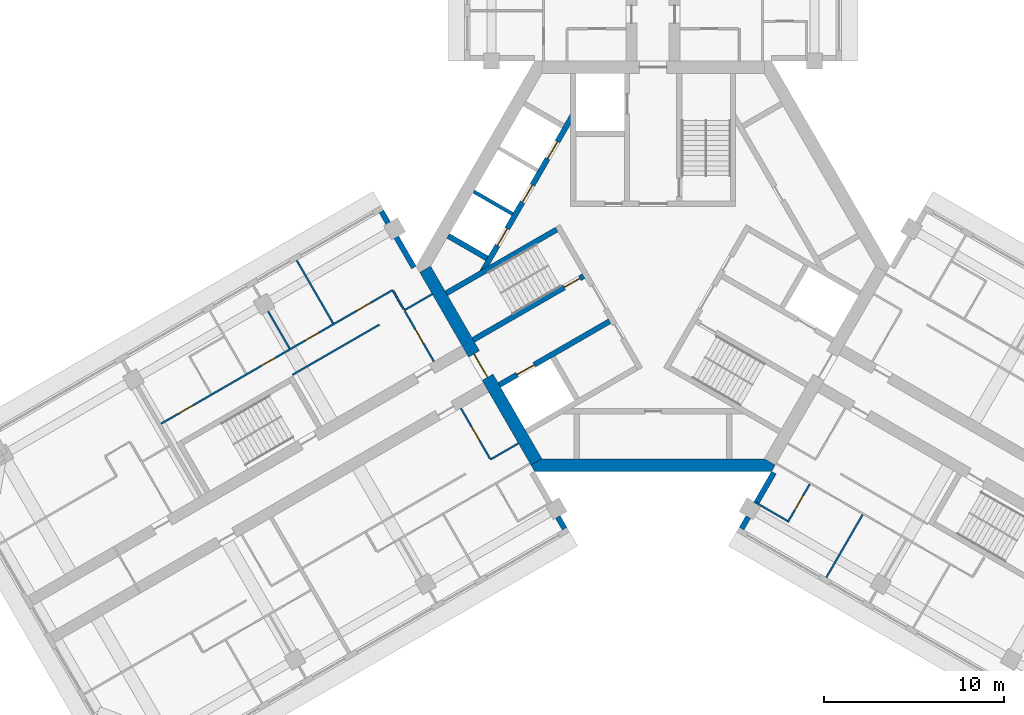
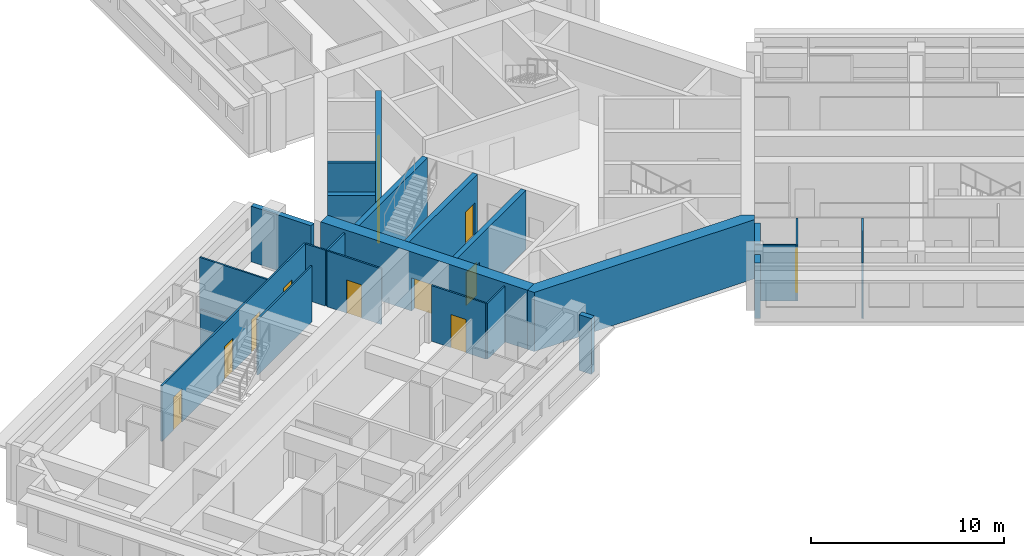
# One storey, part 4 of 11: 24 walls, 13 doors, 13 openings.
"""IFC4 building model written with IfcOpenShell, lengths in metres."""

import ifcopenshell
import ifcopenshell.guid

model = None  # the IFC model being written
_history = None  # IfcOwnerHistory: only IFC2X3 demands one
_inside = {}  # id of a spatial element -> (the spatial element, [elements in it])
_under = {}  # id of a project, library or spatial element -> (it, [spatial elements below it])
_declared = {}  # id of a project -> (the project, [libraries it declares])
_typed = {}  # id of a type object -> (the type object, [elements of that type])
_made_of = {}  # id of a material, layer set ... -> (it, [elements and type objects made of it])


def new_model(schema):
    """Start an empty IFC model of exactly this schema.

    Asked for "IFC4X3", IfcOpenShell would pick the latest addendum, in which some entities
    have other attributes; the version numbers below select the first issue.
    IFC2X3 requires an IfcOwnerHistory on every rooted entity: one is made here for all.
    """
    global model, _history
    if schema == "IFC4X3":
        model = ifcopenshell.file(schema_version=(4, 3, 0, 0))
    else:
        model = ifcopenshell.file(schema=schema)
    _inside.clear()
    _under.clear()
    _declared.clear()
    _typed.clear()
    _made_of.clear()
    _history = None
    if model.schema == "IFC2X3":
        org = make("IfcOrganization", Name="unknown")
        user = make(
            "IfcPersonAndOrganization",
            ThePerson=make("IfcPerson", FamilyName="unknown"),
            TheOrganization=org,
        )
        app = make(
            "IfcApplication",
            ApplicationDeveloper=org,
            Version="unknown",
            ApplicationFullName="unknown",
            ApplicationIdentifier="unknown",
        )
        _history = make(
            "IfcOwnerHistory",
            OwningUser=user,
            OwningApplication=app,
            ChangeAction="ADDED",
            CreationDate=0,
        )
    return model


def make(cls, **values):
    """One entity of the class cls with the attributes given. An attribute that is None is left unset."""
    return model.create_entity(
        cls, **{name: value for name, value in values.items() if value is not None}
    )


def rooted(cls, **values):
    """An entity with a GlobalId (a new one), such as an element, a storey or a relation."""
    return make(cls, GlobalId=ifcopenshell.guid.new(), OwnerHistory=_history, **values)


def si_unit(unit_type, name, prefix=None):
    """IfcSIUnit, for example si_unit("LENGTHUNIT", "METRE", prefix="MILLI")."""
    return make("IfcSIUnit", UnitType=unit_type, Prefix=prefix, Name=name)


def assignment(units):
    """IfcUnitAssignment: the units of a project."""
    return None if units is None else make("IfcUnitAssignment", Units=units)


def point(xyz):
    """IfcCartesianPoint."""
    return None if xyz is None else make("IfcCartesianPoint", Coordinates=xyz)


def direction(xyz):
    """IfcDirection."""
    return None if xyz is None else make("IfcDirection", DirectionRatios=xyz)


def frame(location, z_axis=None, x_axis=None):
    """IfcAxis2Placement3D, a coordinate frame: its origin and axes. An axis left out is left unset."""
    return make(
        "IfcAxis2Placement3D",
        Location=point(location),
        Axis=direction(z_axis),
        RefDirection=direction(x_axis),
    )


def frame_2d(location, x_axis=None):
    """IfcAxis2Placement2D, a coordinate frame in the plane: its origin and x axis."""
    return make(
        "IfcAxis2Placement2D", Location=point(location), RefDirection=direction(x_axis)
    )


def origin():
    """The frame at (0, 0, 0) with its axes left unset."""
    return frame((0.0, 0.0, 0.0))


def place(relative_to, where):
    """IfcLocalPlacement: puts the frame where relative to a parent placement (None: the world)."""
    return make(
        "IfcLocalPlacement", PlacementRelTo=relative_to, RelativePlacement=where
    )


def context(
    kind, dimensions, precision=None, world=None, true_north=None, identifier=None
):
    """IfcGeometricRepresentationContext, for example the 3D "Model" context."""
    return make(
        "IfcGeometricRepresentationContext",
        ContextIdentifier=identifier,
        ContextType=kind,
        CoordinateSpaceDimension=dimensions,
        Precision=precision,
        WorldCoordinateSystem=world,
        TrueNorth=true_north,
    )


def subcontext(parent, identifier, kind, view, scale=None):
    """IfcGeometricRepresentationSubContext, for example "Body" below "Model"."""
    return make(
        "IfcGeometricRepresentationSubContext",
        ContextIdentifier=identifier,
        ContextType=kind,
        ParentContext=parent,
        TargetScale=scale,
        TargetView=view,
    )


def project(units=None, contexts=None):
    """IfcProject with its units and contexts."""
    return rooted(
        "IfcProject",
        Name="project",
        RepresentationContexts=contexts,
        UnitsInContext=assignment(units),
    )


def spatial(cls, under=None, at=None, **own):
    """A site, building, storey or space (cls), placed at a placement, below another one or the project."""
    s = rooted(cls, ObjectPlacement=at, **own)
    if under is not None:
        _under.setdefault(under.id(), (under, []))[1].append(s)
    return s


def polyline(points):
    """IfcPolyline through the points."""
    return make("IfcPolyline", Points=[point(p) for p in points])


def profile(cls, at=None, kind="AREA", **sizes):
    """A parametric profile (cls). Its sizes go by their IFC names, for example OverallWidth=200.0."""
    return make(cls, ProfileType=kind, Position=at, **sizes)


def rectangle(**sizes):
    """IfcRectangleProfileDef."""
    return profile("IfcRectangleProfileDef", **sizes)


def outline(outer, holes=None, kind="AREA"):
    """IfcArbitraryClosedProfileDef: a profile drawn as a closed curve; with holes, ...WithVoids."""
    if holes is None:
        return make("IfcArbitraryClosedProfileDef", ProfileType=kind, OuterCurve=outer)
    return make(
        "IfcArbitraryProfileDefWithVoids",
        ProfileType=kind,
        OuterCurve=outer,
        InnerCurves=holes,
    )


def extrude(swept, where, along, depth):
    """IfcExtrudedAreaSolid: the profile swept, set in the frame where, extruded along a direction by depth."""
    return make(
        "IfcExtrudedAreaSolid",
        SweptArea=swept,
        Position=where,
        ExtrudedDirection=direction(along),
        Depth=depth,
    )


def shape(context_of_items, identifier, shape_type, items):
    """IfcShapeRepresentation: the items that make up one representation, for example the "Body"."""
    return make(
        "IfcShapeRepresentation",
        ContextOfItems=context_of_items,
        RepresentationIdentifier=identifier,
        RepresentationType=shape_type,
        Items=items,
    )


def material(Name=None, Category=None):
    """IfcMaterial."""
    return make("IfcMaterial", Name=Name, Category=Category)


def layer(
    of_material, thickness, ventilated=None, Name=None, Category=None, Priority=None
):
    """IfcMaterialLayer: one layer of a wall or slab, of a material (None: an air gap)."""
    return make(
        "IfcMaterialLayer",
        Material=of_material,
        LayerThickness=thickness,
        IsVentilated=ventilated,
        Name=Name,
        Category=Category,
        Priority=Priority,
    )


def layer_set(layers, Name=None):
    """IfcMaterialLayerSet."""
    return make("IfcMaterialLayerSet", MaterialLayers=layers, LayerSetName=Name)


def made_of(thing, what):
    """Note that an element or type object is made of a material, layer set ...; save() writes the relation."""
    if what is not None:
        _made_of.setdefault(what.id(), (what, []))[1].append(thing)
    return thing


def type_object(cls, material=None, **own):
    """A type object (cls), such as IfcWallType, which elements share."""
    return made_of(rooted(cls, **own), material)


def element(
    cls,
    number,
    at=None,
    inside=None,
    cuts=None,
    type_object=None,
    material=None,
    context=None,
    identifier="Body",
    shape_type=None,
    held_by="IfcProductDefinitionShape",
    body=None,
    shapes=None,
    **own,
):
    """One element of the class cls, such as IfcWall. Its Tag is "e" and its number.

    at: its placement. inside: the storey or other place that contains it. cuts: it is an
    opening in that element (IfcRelVoidsElement). A single representation is given by context,
    identifier, shape_type and body (its items); several are given by shapes. held_by: the class
    of the entity that holds the representations. save() writes the other relations.
    """
    e = rooted(cls, Tag="e%d" % number, ObjectPlacement=at, **own)
    if body is not None:
        shapes = [shape(context, identifier, shape_type, body)]
    if shapes is not None:
        e.Representation = make(held_by, Representations=shapes)
    if inside is not None:
        _inside.setdefault(inside.id(), (inside, []))[1].append(e)
    if cuts is not None:
        rooted(
            "IfcRelVoidsElement", RelatingBuildingElement=cuts, RelatedOpeningElement=e
        )
    if type_object is not None:
        _typed.setdefault(type_object.id(), (type_object, []))[1].append(e)
    return made_of(e, material)


def fill(opening, filler):
    """IfcRelFillsElement: the door or window that sits in an opening."""
    return rooted(
        "IfcRelFillsElement",
        RelatingOpeningElement=opening,
        RelatedBuildingElement=filler,
    )


def aggregate(whole, parts):
    """IfcRelAggregates: a whole, such as a stair, and the parts it consists of."""
    return rooted("IfcRelAggregates", RelatingObject=whole, RelatedObjects=parts)


def save(model, path):
    """Write the relations noted so far, then the file.

    IfcRelAggregates (storeys below a building ...), IfcRelContainedInSpatialStructure (elements
    in a storey), IfcRelDefinesByType, IfcRelAssociatesMaterial and IfcRelDeclares: one each for
    every whole, place, type object, material and project.
    """
    for whole, parts in _under.values():
        aggregate(whole, parts)
    for where, things in _inside.values():
        rooted(
            "IfcRelContainedInSpatialStructure",
            RelatedElements=things,
            RelatingStructure=where,
        )
    for kind, things in _typed.values():
        rooted("IfcRelDefinesByType", RelatedObjects=things, RelatingType=kind)
    for what, things in _made_of.values():
        rooted("IfcRelAssociatesMaterial", RelatedObjects=things, RelatingMaterial=what)
    for by, libraries in _declared.values():
        rooted("IfcRelDeclares", RelatingContext=by, RelatedDefinitions=libraries)
    model.write(path)


model = new_model("IFC4")

# Units and contexts
model_context = context("Model", 3, precision=1e-05, world=origin(), true_north=direction((0.0, 1.0)))
body_context = subcontext(model_context, "Body", "Model", "MODEL_VIEW")
ifc_project = project(units=[si_unit("LENGTHUNIT", "METRE"), si_unit("AREAUNIT", "SQUARE_METRE"), si_unit("VOLUMEUNIT", "CUBIC_METRE"), si_unit("PLANEANGLEUNIT", "RADIAN"), si_unit("MASSUNIT", "GRAM", prefix="KILO")], contexts=[model_context])

# Site, building, storey
site_placement = place(None, origin())
site = spatial("IfcSite", under=ifc_project, at=site_placement, CompositionType="ELEMENT")
building_placement = place(site_placement, origin())
building = spatial("IfcBuilding", under=site, at=building_placement, Name="Impinga Residences", CompositionType="ELEMENT")
storey_placement = place(building_placement, frame((0.0, 0.0, 199.75)))
storey = spatial("IfcBuildingStorey", under=building, at=storey_placement, Name="L49", CompositionType="ELEMENT", Elevation=199.75)

# Walls
ifc_material_1 = material(Name="Terracotta rainscreen on blockwork", Category="masonry")
ifc_layer_1 = layer(ifc_material_1, 0.300048828125)
ifc_layer_set_1 = layer_set([ifc_layer_1], Name="EW1 external wall, terracotta rainscreen on blockwork 300")
wall_type_1 = type_object("IfcWallType", Name="EW1 external wall, terracotta rainscreen on blockwork 300", PredefinedType="SOLIDWALL", material=ifc_layer_set_1)
wall_1_placement = place(storey_placement, frame((-15.1298828125, 3.042724609375, 0.0), z_axis=(0.0, 0.0, 1.0), x_axis=(0.500012057535, -0.866018442252, 0.0)))
element("IfcWall", 1, at=wall_1_placement, inside=storey, type_object=wall_type_1, Name="External wall EW1 L49", PredefinedType="SOLIDWALL", context=body_context, shape_type="SweptSolid", body=[
    extrude(rectangle(XDim=3.60009765625, YDim=0.300048828125, at=frame_2d((1.800048828125, 0.0))), origin(), (0.0, 0.0, 1.0), 3.530029296875),
])
wall_2_placement = place(storey_placement, frame((4.929931640625, -14.624267578125, 0.0), z_axis=(0.0, 0.0, 1.0), x_axis=(0.499919672301, 0.866071776036, 0.0)))
element("IfcWall", 2, at=wall_2_placement, inside=storey, type_object=wall_type_1, Name="External wall EW1 L49", PredefinedType="SOLIDWALL", context=body_context, shape_type="SweptSolid", body=[
    extrude(rectangle(XDim=0.75, YDim=0.300048828125, at=frame_2d((0.375, 0.0))), origin(), (0.0, 0.0, 1.0), 3.530029296875),
])
wall_3_placement = place(storey_placement, frame((5.7548828125, -13.1953125, 0.0), z_axis=(0.0, 0.0, 1.0), x_axis=(0.500043961785, 0.866000020948, 0.0)))
element("IfcWall", 3, at=wall_3_placement, inside=storey, type_object=wall_type_1, Name="External wall EW1 L49", PredefinedType="SOLIDWALL", context=body_context, shape_type="SweptSolid", body=[
    extrude(rectangle(XDim=1.949951171875, YDim=0.300048828125, at=frame_2d((0.97509765625, 0.0))), origin(), (0.0, 0.0, 1.0), 3.530029296875),
])
wall_4_placement = place(storey_placement, frame((-5.304931640625, -13.974609375, 0.0), z_axis=(0.0, 0.0, 1.0), x_axis=(0.499919672301, -0.866071776036, 0.0)))
element("IfcWall", 4, at=wall_4_placement, inside=storey, type_object=wall_type_1, Name="External wall EW1 L49", PredefinedType="SOLIDWALL", context=body_context, shape_type="SweptSolid", body=[
    extrude(rectangle(XDim=0.75, YDim=0.300048828125, at=frame_2d((0.375, 0.0))), origin(), (0.0, 0.0, 1.0), 3.530029296875),
])
ifc_material_2 = material(Name="Gypsum board on steel studs", Category="steel")
ifc_layer_2 = layer(ifc_material_2, 0.10009765625)
ifc_layer_set_2 = layer_set([ifc_layer_2], Name="Gypsum board on steel studs")
wall_type_2 = type_object("IfcWallType", Name="IP1 partition 100", PredefinedType="PARTITIONING", material=ifc_layer_set_2)
wall_5_placement = place(storey_placement, frame((-7.5, -9.872802734375, 0.0), z_axis=(0.0, 0.0, 1.0), x_axis=(-0.866047807691, -0.499961193289, 0.0)))
element("IfcWall", 5, at=wall_5_placement, inside=storey, type_object=wall_type_2, Name="Partition L49-WA1:DIV0", PredefinedType="PARTITIONING", context=body_context, shape_type="SweptSolid", body=[
    extrude(rectangle(XDim=1.800048828125, YDim=0.10009765625, at=frame_2d((0.89990234375, 0.0))), origin(), (0.0, 0.0, 1.0), 3.530029296875),
])

# Wall, opening, door
wall_6_placement = place(storey_placement, frame((-10.708740234375, -7.914794921875, 0.0), z_axis=(0.0, 0.0, 1.0), x_axis=(0.499984717929, -0.866034226713, 0.0)))
wall_6 = element("IfcWall", 6, at=wall_6_placement, inside=storey, type_object=wall_type_2, Name="Partition L49-WA1:IB1", PredefinedType="PARTITIONING", context=body_context, shape_type="SweptSolid", body=[
    extrude(rectangle(XDim=3.25, YDim=0.10009765625, at=frame_2d((1.625, 0.0))), origin(), (0.0, 0.0, 1.0), 3.530029296875),
])
opening_1_placement = place(wall_6_placement, frame((1.175048828125, 0.0, 0.0)))
opening_1 = element("IfcOpeningElement", 7, at=opening_1_placement, cuts=wall_6, Name="Opening D2", PredefinedType="OPENING", context=body_context, shape_type="SweptSolid", body=[
    extrude(rectangle(XDim=0.89990234375, YDim=2.10009765625, at=frame_2d((0.449951171875, 1.050048828125))), frame((0.0, 0.06005859375, 0.0), z_axis=(0.0, -1.0, 0.0), x_axis=(1.0, 0.0, 0.0)), (0.0, 0.0, 1.0), 0.1201171875),
])
ifc_material_3 = material(Name="Timber door set", Category="wood")
door_type_1 = type_object("IfcDoorType", Name="D2 internal door 900x2100", OperationType="SINGLE_SWING_LEFT", PredefinedType="DOOR", material=ifc_material_3)
door_1_placement = place(opening_1_placement, origin())
door_1 = element("IfcDoor", 8, at=door_1_placement, inside=storey, type_object=door_type_1, Name="Apartment L49-WA1 bathroom door", OperationType="SINGLE_SWING_LEFT", OverallHeight=2.10009765625, OverallWidth=0.89990234375, PredefinedType="DOOR", context=body_context, shape_type="SweptSolid", body=[
    extrude(rectangle(XDim=0.89990234375, YDim=2.10009765625, at=frame_2d((0.449951171875, 1.050048828125))), frame((0.0, 0.02490234375, 0.0), z_axis=(0.0, -1.0, 0.0), x_axis=(1.0, 0.0, 0.0)), (0.0, 0.0, 1.0), 0.050048828125),
])
fill(opening_1, door_1)

# Walls
wall_7_placement = place(storey_placement, frame((-12.300048828125, -1.558837890625, 0.0), z_axis=(0.0, 0.0, 1.0), x_axis=(-0.866047807691, -0.499961193289, 0.0)))
element("IfcWall", 9, at=wall_7_placement, inside=storey, type_object=wall_type_2, Name="Partition L49-WF1:DIV0", PredefinedType="PARTITIONING", context=body_context, shape_type="SweptSolid", body=[
    extrude(rectangle(XDim=1.800048828125, YDim=0.10009765625, at=frame_2d((0.89990234375, 0.0))), origin(), (0.0, 0.0, 1.0), 3.530029296875),
])
wall_8_placement = place(storey_placement, frame((-15.244384765625, -3.2587890625, 0.0), z_axis=(0.0, 0.0, 1.0), x_axis=(-0.866026594901, -0.49999793692, 0.0)))
element("IfcWall", 10, at=wall_8_placement, inside=storey, type_object=wall_type_2, Name="Partition L49-WF1:DIV1", PredefinedType="PARTITIONING", context=body_context, shape_type="SweptSolid", body=[
    extrude(rectangle(XDim=5.60009765625, YDim=0.10009765625, at=frame_2d((2.800048828125, 0.0))), origin(), (0.0, 0.0, 1.0), 3.530029296875),
])

# Wall, openings, doors
wall_9_placement = place(storey_placement, frame((-14.5087890625, -1.3330078125, 0.0), z_axis=(0.0, 0.0, 1.0), x_axis=(-0.866027327438, -0.499996668119, 0.0)))
wall_9 = element("IfcWall", 11, at=wall_9_placement, inside=storey, type_object=wall_type_2, Name="Partition L49-WF1:STRIP", PredefinedType="PARTITIONING", context=body_context, shape_type="SweptSolid", body=[
    extrude(rectangle(XDim=14.89990234375, YDim=0.10009765625, at=frame_2d((7.449951171875, 0.0))), origin(), (0.0, 0.0, 1.0), 3.530029296875),
])
opening_2_placement = place(wall_9_placement, frame((1.425048828125, 0.0, 0.0)))
opening_2 = element("IfcOpeningElement", 12, at=opening_2_placement, cuts=wall_9, Name="Opening D2", PredefinedType="OPENING", context=body_context, shape_type="SweptSolid", body=[
    extrude(rectangle(XDim=0.89990234375, YDim=2.10009765625, at=frame_2d((0.449951171875, 1.050048828125))), frame((0.0, 0.06005859375, 0.0), z_axis=(0.0, -1.0, 0.0), x_axis=(1.0, 0.0, 0.0)), (0.0, 0.0, 1.0), 0.1201171875),
])
opening_3_placement = place(wall_9_placement, frame((4.75, 0.0, 0.0)))
opening_3 = element("IfcOpeningElement", 13, at=opening_3_placement, cuts=wall_9, Name="Opening D2", PredefinedType="OPENING", context=body_context, shape_type="SweptSolid", body=[
    extrude(rectangle(XDim=0.89990234375, YDim=2.10009765625, at=frame_2d((0.449951171875, 1.050048828125))), frame((0.0, 0.06005859375, 0.0), z_axis=(0.0, -1.0, 0.0), x_axis=(1.0, 0.0, 0.0)), (0.0, 0.0, 1.0), 0.1201171875),
])
opening_4_placement = place(wall_9_placement, frame((7.550048828125, 0.0, 0.0)))
opening_4 = element("IfcOpeningElement", 14, at=opening_4_placement, cuts=wall_9, Name="Opening D2", PredefinedType="OPENING", context=body_context, shape_type="SweptSolid", body=[
    extrude(rectangle(XDim=0.89990234375, YDim=2.10009765625, at=frame_2d((0.449951171875, 1.050048828125))), frame((0.0, 0.06005859375, 0.0), z_axis=(0.0, -1.0, 0.0), x_axis=(1.0, 0.0, 0.0)), (0.0, 0.0, 1.0), 0.1201171875),
])
opening_5_placement = place(wall_9_placement, frame((12.85009765625, 0.0, 0.0)))
opening_5 = element("IfcOpeningElement", 15, at=opening_5_placement, cuts=wall_9, Name="Opening D2", PredefinedType="OPENING", context=body_context, shape_type="SweptSolid", body=[
    extrude(rectangle(XDim=0.89990234375, YDim=2.10009765625, at=frame_2d((0.449951171875, 1.050048828125))), frame((0.0, 0.06005859375, 0.0), z_axis=(0.0, -1.0, 0.0), x_axis=(1.0, 0.0, 0.0)), (0.0, 0.0, 1.0), 0.1201171875),
])
door_2_placement = place(opening_2_placement, origin())
door_2 = element("IfcDoor", 16, at=door_2_placement, inside=storey, type_object=door_type_1, Name="Apartment L49-WF1 room door", OperationType="SINGLE_SWING_LEFT", OverallHeight=2.10009765625, OverallWidth=0.89990234375, PredefinedType="DOOR", context=body_context, shape_type="SweptSolid", body=[
    extrude(rectangle(XDim=0.89990234375, YDim=2.10009765625, at=frame_2d((0.449951171875, 1.050048828125))), frame((0.0, 0.02490234375, 0.0), z_axis=(0.0, -1.0, 0.0), x_axis=(1.0, 0.0, 0.0)), (0.0, 0.0, 1.0), 0.050048828125),
])
fill(opening_2, door_2)
door_3_placement = place(opening_3_placement, origin())
door_3 = element("IfcDoor", 17, at=door_3_placement, inside=storey, type_object=door_type_1, Name="Apartment L49-WF1 room door", OperationType="SINGLE_SWING_LEFT", OverallHeight=2.10009765625, OverallWidth=0.89990234375, PredefinedType="DOOR", context=body_context, shape_type="SweptSolid", body=[
    extrude(rectangle(XDim=0.89990234375, YDim=2.10009765625, at=frame_2d((0.449951171875, 1.050048828125))), frame((0.0, 0.02490234375, 0.0), z_axis=(0.0, -1.0, 0.0), x_axis=(1.0, 0.0, 0.0)), (0.0, 0.0, 1.0), 0.050048828125),
])
fill(opening_3, door_3)
door_4_placement = place(opening_4_placement, origin())
door_4 = element("IfcDoor", 18, at=door_4_placement, inside=storey, type_object=door_type_1, Name="Apartment L49-WF1 room door", OperationType="SINGLE_SWING_RIGHT", OverallHeight=2.10009765625, OverallWidth=0.89990234375, PredefinedType="DOOR", context=body_context, shape_type="SweptSolid", body=[
    extrude(rectangle(XDim=0.89990234375, YDim=2.10009765625, at=frame_2d((0.449951171875, 1.050048828125))), frame((0.0, 0.02490234375, 0.0), z_axis=(0.0, -1.0, 0.0), x_axis=(1.0, 0.0, 0.0)), (0.0, 0.0, 1.0), 0.050048828125),
])
fill(opening_4, door_4)
door_5_placement = place(opening_5_placement, origin())
door_5 = element("IfcDoor", 19, at=door_5_placement, inside=storey, type_object=door_type_1, Name="Apartment L49-WF1 room door", OperationType="SINGLE_SWING_RIGHT", OverallHeight=2.10009765625, OverallWidth=0.89990234375, PredefinedType="DOOR", context=body_context, shape_type="SweptSolid", body=[
    extrude(rectangle(XDim=0.89990234375, YDim=2.10009765625, at=frame_2d((0.449951171875, 1.050048828125))), frame((0.0, 0.02490234375, 0.0), z_axis=(0.0, -1.0, 0.0), x_axis=(1.0, 0.0, 0.0)), (0.0, 0.0, 1.0), 0.050048828125),
])
fill(opening_5, door_5)

# Wall
wall_10_placement = place(storey_placement, frame((-13.8837890625, -2.41552734375, 0.0), z_axis=(0.0, 0.0, 1.0), x_axis=(-0.500033551112, 0.866006032174, 0.0)))
element("IfcWall", 20, at=wall_10_placement, inside=storey, type_object=wall_type_2, Name="Partition L49-WF1:SE0", PredefinedType="PARTITIONING", context=body_context, shape_type="SweptSolid", body=[
    extrude(rectangle(XDim=1.2001953125, YDim=0.10009765625, at=frame_2d((0.60009765625, 0.0))), origin(), (0.0, 0.0, 1.0), 3.530029296875),
])

# Wall, opening, door
wall_11_placement = place(storey_placement, frame((-12.208740234375, -5.316650390625, 0.0), z_axis=(0.0, 0.0, 1.0), x_axis=(-0.500017246033, 0.866015446554, 0.0)))
wall_11 = element("IfcWall", 21, at=wall_11_placement, inside=storey, type_object=wall_type_2, Name="Partition L49-WF1:IB1", PredefinedType="PARTITIONING", context=body_context, shape_type="SweptSolid", body=[
    extrude(rectangle(XDim=3.25, YDim=0.10009765625, at=frame_2d((1.625, 0.0))), origin(), (0.0, 0.0, 1.0), 3.530029296875),
])
opening_6_placement = place(wall_11_placement, frame((1.175048828125, 0.0, 0.0)))
opening_6 = element("IfcOpeningElement", 22, at=opening_6_placement, cuts=wall_11, Name="Opening D2", PredefinedType="OPENING", context=body_context, shape_type="SweptSolid", body=[
    extrude(rectangle(XDim=0.89990234375, YDim=2.10009765625, at=frame_2d((0.449951171875, 1.050048828125))), frame((0.0, 0.06005859375, 0.0), z_axis=(0.0, -1.0, 0.0), x_axis=(1.0, 0.0, 0.0)), (0.0, 0.0, 1.0), 0.1201171875),
])
door_6_placement = place(opening_6_placement, origin())
door_6 = element("IfcDoor", 23, at=door_6_placement, inside=storey, type_object=door_type_1, Name="Apartment L49-WF1 bathroom door", OperationType="SINGLE_SWING_LEFT", OverallHeight=2.10009765625, OverallWidth=0.89990234375, PredefinedType="DOOR", context=body_context, shape_type="SweptSolid", body=[
    extrude(rectangle(XDim=0.89990234375, YDim=2.10009765625, at=frame_2d((0.449951171875, 1.050048828125))), frame((0.0, 0.02490234375, 0.0), z_axis=(0.0, -1.0, 0.0), x_axis=(1.0, 0.0, 0.0)), (0.0, 0.0, 1.0), 0.050048828125),
])
fill(opening_6, door_6)

# Walls
wall_12_placement = place(storey_placement, frame((-17.82470703125, -3.189697265625, 0.0), z_axis=(0.0, 0.0, 1.0), x_axis=(-0.500035537042, 0.866004885491, 0.0)))
element("IfcWall", 24, at=wall_12_placement, inside=storey, type_object=wall_type_2, Name="Partition L49-WF1:OB1", PredefinedType="PARTITIONING", context=body_context, shape_type="SweptSolid", body=[
    extrude(rectangle(XDim=4.050048828125, YDim=0.10009765625, at=frame_2d((2.02490234375, 0.0))), origin(), (0.0, 0.0, 1.0), 3.530029296875),
])
wall_13_placement = place(storey_placement, frame((-20.24951171875, -4.589599609375, 0.0), z_axis=(0.0, 0.0, 1.0), x_axis=(-0.500077600433, 0.865980596518, 0.0)))
element("IfcWall", 25, at=wall_13_placement, inside=storey, type_object=wall_type_2, Name="Partition L49-WF1:OB2", PredefinedType="PARTITIONING", context=body_context, shape_type="SweptSolid", body=[
    extrude(rectangle(XDim=2.39990234375, YDim=0.10009765625, at=frame_2d((1.199951171875, 0.0))), origin(), (0.0, 0.0, 1.0), 2.47998046875),
])
wall_14_placement = place(storey_placement, frame((11.6748046875, -13.841796875, 0.0), z_axis=(0.0, 0.0, 1.0), x_axis=(-0.500035537042, -0.866004885491, 0.0)))
element("IfcWall", 26, at=wall_14_placement, inside=storey, type_object=wall_type_2, Name="Partition L49-EF1:OB1", PredefinedType="PARTITIONING", context=body_context, shape_type="SweptSolid", body=[
    extrude(rectangle(XDim=4.050048828125, YDim=0.10009765625, at=frame_2d((2.02490234375, 0.0))), origin(), (0.0, 0.0, 1.0), 3.530029296875),
])

# Wall, opening, door
wall_15_placement = place(storey_placement, frame((8.730224609375, -12.141845703125, 0.0), z_axis=(0.0, 0.0, 1.0), x_axis=(-0.499943856944, -0.866057815567, 0.0)))
wall_15 = element("IfcWall", 27, at=wall_15_placement, inside=storey, type_object=wall_type_2, Name="Partition L49-EF1:EN1", PredefinedType="PARTITIONING", context=body_context, shape_type="SweptSolid", body=[
    extrude(rectangle(XDim=2.449951171875, YDim=0.10009765625, at=frame_2d((1.22509765625, 0.0))), origin(), (0.0, 0.0, 1.0), 3.530029296875),
])
opening_7_placement = place(wall_15_placement, frame((0.75, 0.0, 0.0)))
opening_7 = element("IfcOpeningElement", 28, at=opening_7_placement, cuts=wall_15, Name="Opening D2", PredefinedType="OPENING", context=body_context, shape_type="SweptSolid", body=[
    extrude(rectangle(XDim=0.89990234375, YDim=2.10009765625, at=frame_2d((0.449951171875, 1.050048828125))), frame((0.0, 0.06005859375, 0.0), z_axis=(0.0, -1.0, 0.0), x_axis=(1.0, 0.0, 0.0)), (0.0, 0.0, 1.0), 0.1201171875),
])
door_7_placement = place(opening_7_placement, origin())
door_7 = element("IfcDoor", 29, at=door_7_placement, inside=storey, type_object=door_type_1, Name="Apartment L49-EF1 en-suite door", OperationType="SINGLE_SWING_LEFT", OverallHeight=2.10009765625, OverallWidth=0.89990234375, PredefinedType="DOOR", context=body_context, shape_type="SweptSolid", body=[
    extrude(rectangle(XDim=0.89990234375, YDim=2.10009765625, at=frame_2d((0.449951171875, 1.050048828125))), frame((0.0, 0.02490234375, 0.0), z_axis=(0.0, -1.0, 0.0), x_axis=(1.0, 0.0, 0.0)), (0.0, 0.0, 1.0), 0.050048828125),
])
fill(opening_7, door_7)

# Wall
wall_16_placement = place(storey_placement, frame((5.625, -13.120361328125, 0.0), z_axis=(0.0, 0.0, 1.0), x_axis=(0.866047553582, -0.499961633463, 0.0)))
element("IfcWall", 30, at=wall_16_placement, inside=storey, type_object=wall_type_2, Name="Partition L49-EF1:EN2", PredefinedType="PARTITIONING", context=body_context, shape_type="SweptSolid", body=[
    extrude(rectangle(XDim=2.150146484375, YDim=0.10009765625, at=frame_2d((1.0751953125, 0.0))), origin(), (0.0, 0.0, 1.0), 3.530029296875),
])

# Wall, opening, door
ifc_material_4 = material(Name="Concrete C60/75", Category="concrete")
ifc_layer_3 = layer(ifc_material_4, 0.699951171875)
ifc_layer_set_3 = layer_set([ifc_layer_3], Name="Concrete C60/75")
wall_type_3 = type_object("IfcWallType", Name="SW3 core wall 700", PredefinedType="SHEAR", material=ifc_layer_set_3)
wall_17_placement = place(storey_placement, frame((-6.4990234375, -10.906494140625, 0.0), z_axis=(0.0, 0.0, 1.0), x_axis=(-0.499999875397, 0.866025475724, 0.0)))
wall_17 = element("IfcWall", 31, at=wall_17_placement, inside=storey, type_object=wall_type_3, Name="Core wall SW3 W:FACE L49", PredefinedType="SHEAR", context=body_context, shape_type="SweptSolid", body=[
    extrude(rectangle(XDim=12.3916015625, YDim=0.699951171875, at=frame_2d((6.19580078125, 0.0))), origin(), (0.0, 0.0, 1.0), 3.75),
])
opening_8_placement = place(wall_17_placement, frame((5.44580078125, 0.0, 0.0)))
opening_8 = element("IfcOpeningElement", 32, at=opening_8_placement, cuts=wall_17, Name="Opening D4", PredefinedType="OPENING", context=body_context, shape_type="SweptSolid", body=[
    extrude(rectangle(XDim=1.5, YDim=2.10009765625, at=frame_2d((0.75, 1.050048828125))), frame((0.0, 0.35986328125, 0.0), z_axis=(0.0, -1.0, 0.0), x_axis=(1.0, 0.0, 0.0)), (0.0, 0.0, 1.0), 0.719970703125),
])
door_type_2 = type_object("IfcDoorType", Name="D4 lobby door pair 1500x2100", OperationType="DOUBLE_DOOR_DOUBLE_SWING", PredefinedType="DOOR", material=ifc_material_3)
door_8_placement = place(opening_8_placement, origin())
door_8 = element("IfcDoor", 33, at=door_8_placement, inside=storey, type_object=door_type_2, Name="Lobby door W", OperationType="DOUBLE_DOOR_DOUBLE_SWING", OverallHeight=2.10009765625, OverallWidth=1.5, PredefinedType="DOOR", context=body_context, shape_type="SweptSolid", body=[
    extrude(rectangle(XDim=1.5, YDim=2.10009765625, at=frame_2d((0.75, 1.050048828125))), frame((0.0, 0.02490234375, 0.0), z_axis=(0.0, -1.0, 0.0), x_axis=(1.0, 0.0, 0.0)), (0.0, 0.0, 1.0), 0.050048828125),
])
fill(opening_8, door_8)

# Wall
wall_18_placement = place(storey_placement, origin())
element("IfcWall", 34, at=wall_18_placement, inside=storey, type_object=wall_type_3, Name="Core wall SW3 N:EXPOSED L49", PredefinedType="SHEAR", context=body_context, shape_type="SweptSolid", body=[
    extrude(outline(polyline([(-6.60009765625, -11.431640625), (6.60009765625, -11.431640625), (6.802001953125, -11.08154296875), (6.19580078125, -10.7314453125), (-6.19580078125, -10.7314453125), (-6.802001953125, -11.08154296875), (-6.60009765625, -11.431640625)])), origin(), (0.0, 0.0, 1.0), 3.75),
])

# Wall, opening, door
ifc_material_5 = material(Name="Concrete C70/85", Category="concrete")
ifc_layer_4 = layer(ifc_material_5, 0.300048828125)
ifc_layer_set_4 = layer_set([ifc_layer_4], Name="Concrete C70/85")
wall_type_4 = type_object("IfcWallType", Name="SW5 core inner wall, stairs, shafts and lobbies 300", PredefinedType="SHEAR", material=ifc_layer_set_4)
wall_19_placement = place(storey_placement, frame((-3.86865234375, -0.559326171875, 0.0), z_axis=(0.0, 0.0, 1.0), x_axis=(-0.866025859768, -0.499999210213, 0.0)))
wall_19 = element("IfcWall", 35, at=wall_19_placement, inside=storey, type_object=wall_type_4, Name="Core wall SW5 W:ST-IN L49", PredefinedType="SHEAR", context=body_context, shape_type="SweptSolid", body=[
    extrude(rectangle(XDim=7.1015625, YDim=0.300048828125, at=frame_2d((3.55078125, 0.0))), origin(), (0.0, 0.0, 1.0), 3.75),
])
opening_9_placement = place(wall_19_placement, frame((0.25, 0.0, 0.0)))
opening_9 = element("IfcOpeningElement", 36, at=opening_9_placement, cuts=wall_19, Name="Opening D5", PredefinedType="OPENING", context=body_context, shape_type="SweptSolid", body=[
    extrude(rectangle(XDim=1.0, YDim=2.10009765625, at=frame_2d((0.5, 1.050048828125))), frame((0.0, 0.159912109375, 0.0), z_axis=(0.0, -1.0, 0.0), x_axis=(1.0, 0.0, 0.0)), (0.0, 0.0, 1.0), 0.320068359375),
])
door_type_3 = type_object("IfcDoorType", Name="D5 stair door 1000x2100", OperationType="SINGLE_SWING_LEFT", PredefinedType="DOOR", material=ifc_material_3)
door_9_placement = place(opening_9_placement, origin())
door_9 = element("IfcDoor", 37, at=door_9_placement, inside=storey, type_object=door_type_3, Name="Stair door W", OperationType="SINGLE_SWING_LEFT", OverallHeight=2.10009765625, OverallWidth=1.0, PredefinedType="DOOR", context=body_context, shape_type="SweptSolid", body=[
    extrude(rectangle(XDim=1.0, YDim=2.10009765625, at=frame_2d((0.5, 1.050048828125))), frame((0.0, 0.02490234375, 0.0), z_axis=(0.0, -1.0, 0.0), x_axis=(1.0, 0.0, 0.0)), (0.0, 0.0, 1.0), 0.050048828125),
])
fill(opening_9, door_9)

# Wall
wall_20_placement = place(storey_placement, frame((-5.36865234375, 2.038818359375, 0.0), z_axis=(0.0, 0.0, 1.0), x_axis=(-0.866025859768, -0.499999210213, 0.0)))
element("IfcWall", 38, at=wall_20_placement, inside=storey, type_object=wall_type_4, Name="Core wall SW5 W:ST-OUT L49", PredefinedType="SHEAR", context=body_context, shape_type="SweptSolid", body=[
    extrude(rectangle(XDim=7.1015625, YDim=0.300048828125, at=frame_2d((3.55078125, 0.0))), origin(), (0.0, 0.0, 1.0), 3.75),
])

# Wall, opening, door
wall_21_placement = place(storey_placement, frame((-2.418701171875, -3.07080078125, 0.0), z_axis=(0.0, 0.0, 1.0), x_axis=(-0.866025859768, -0.499999210213, 0.0)))
wall_21 = element("IfcWall", 39, at=wall_21_placement, inside=storey, type_object=wall_type_4, Name="Core wall SW5 W:FF-IN L49", PredefinedType="SHEAR", context=body_context, shape_type="SweptSolid", body=[
    extrude(rectangle(XDim=7.1015625, YDim=0.300048828125, at=frame_2d((3.55078125, 0.0))), origin(), (0.0, 0.0, 1.0), 3.75),
])
opening_10_placement = place(wall_21_placement, frame((4.85009765625, 0.0, 0.0)))
opening_10 = element("IfcOpeningElement", 40, at=opening_10_placement, cuts=wall_21, Name="Opening LD2", PredefinedType="OPENING", context=body_context, shape_type="SweptSolid", body=[
    extrude(rectangle(XDim=1.10009765625, YDim=2.10009765625, at=frame_2d((0.550048828125, 1.050048828125))), frame((0.0, 0.159912109375, 0.0), z_axis=(0.0, -1.0, 0.0), x_axis=(1.0, 0.0, 0.0)), (0.0, 0.0, 1.0), 0.320068359375),
])
ifc_material_6 = material(Name="Steel lift landing door", Category="steel")
door_type_4 = type_object("IfcDoorType", Name="LD2 firefighting lift landing door 1100x2100", OperationType="DOUBLE_DOOR_SLIDING", PredefinedType="DOOR", material=ifc_material_6)
door_10_placement = place(opening_10_placement, origin())
door_10 = element("IfcDoor", 41, at=door_10_placement, inside=storey, type_object=door_type_4, Name="Firefighting lift landing door F2", OperationType="DOUBLE_DOOR_SLIDING", OverallHeight=2.10009765625, OverallWidth=1.10009765625, PredefinedType="DOOR", context=body_context, shape_type="SweptSolid", body=[
    extrude(rectangle(XDim=1.10009765625, YDim=2.10009765625, at=frame_2d((0.550048828125, 1.050048828125))), frame((0.0, 0.02490234375, 0.0), z_axis=(0.0, -1.0, 0.0), x_axis=(1.0, 0.0, 0.0)), (0.0, 0.0, 1.0), 0.050048828125),
])
fill(opening_10, door_10)

# Wall, openings, doors
wall_22_placement = place(storey_placement, frame((-9.547607421875, -0.3740234375, 0.0), z_axis=(0.0, 0.0, 1.0), x_axis=(0.500002290144, 0.866024081565, 0.0)))
wall_22 = element("IfcWall", 42, at=wall_22_placement, inside=storey, type_object=wall_type_4, Name="Core wall SW5 E:BANK-FRONT L49", PredefinedType="SHEAR", context=body_context, shape_type="SweptSolid", body=[
    extrude(rectangle(XDim=10.1953125, YDim=0.300048828125, at=frame_2d((5.09765625, 0.0))), origin(), (0.0, 0.0, 1.0), 3.75),
])
opening_11_placement = place(wall_22_placement, frame((1.74755859375, 0.0, 0.0)))
opening_11 = element("IfcOpeningElement", 43, at=opening_11_placement, cuts=wall_22, Name="Opening LD1", PredefinedType="OPENING", context=body_context, shape_type="SweptSolid", body=[
    extrude(rectangle(XDim=1.10009765625, YDim=2.10009765625, at=frame_2d((0.550048828125, 1.050048828125))), frame((0.0, 0.159912109375, 0.0), z_axis=(0.0, -1.0, 0.0), x_axis=(1.0, 0.0, 0.0)), (0.0, 0.0, 1.0), 0.320068359375),
])
opening_12_placement = place(wall_22_placement, frame((4.547607421875, 0.0, 0.0)))
opening_12 = element("IfcOpeningElement", 44, at=opening_12_placement, cuts=wall_22, Name="Opening LD1", PredefinedType="OPENING", context=body_context, shape_type="SweptSolid", body=[
    extrude(rectangle(XDim=1.10009765625, YDim=2.10009765625, at=frame_2d((0.550048828125, 1.050048828125))), frame((0.0, 0.159912109375, 0.0), z_axis=(0.0, -1.0, 0.0), x_axis=(1.0, 0.0, 0.0)), (0.0, 0.0, 1.0), 0.320068359375),
])
opening_13_placement = place(wall_22_placement, frame((7.34765625, 0.0, 0.0)))
opening_13 = element("IfcOpeningElement", 45, at=opening_13_placement, cuts=wall_22, Name="Opening LD1", PredefinedType="OPENING", context=body_context, shape_type="SweptSolid", body=[
    extrude(rectangle(XDim=1.10009765625, YDim=2.10009765625, at=frame_2d((0.550048828125, 1.050048828125))), frame((0.0, 0.159912109375, 0.0), z_axis=(0.0, -1.0, 0.0), x_axis=(1.0, 0.0, 0.0)), (0.0, 0.0, 1.0), 0.320068359375),
])
door_type_5 = type_object("IfcDoorType", Name="LD1 passenger lift landing door 1100x2100", OperationType="DOUBLE_DOOR_SLIDING", PredefinedType="DOOR", material=ifc_material_6)
door_11_placement = place(opening_11_placement, origin())
door_11 = element("IfcDoor", 46, at=door_11_placement, inside=storey, type_object=door_type_5, Name="Lift landing door P7", OperationType="DOUBLE_DOOR_SLIDING", OverallHeight=2.10009765625, OverallWidth=1.10009765625, PredefinedType="DOOR", context=body_context, shape_type="SweptSolid", body=[
    extrude(rectangle(XDim=1.10009765625, YDim=2.10009765625, at=frame_2d((0.550048828125, 1.050048828125))), frame((0.0, 0.02490234375, 0.0), z_axis=(0.0, -1.0, 0.0), x_axis=(1.0, 0.0, 0.0)), (0.0, 0.0, 1.0), 0.050048828125),
])
fill(opening_11, door_11)
door_12_placement = place(opening_12_placement, origin())
door_12 = element("IfcDoor", 47, at=door_12_placement, inside=storey, type_object=door_type_5, Name="Lift landing door P8", OperationType="DOUBLE_DOOR_SLIDING", OverallHeight=2.10009765625, OverallWidth=1.10009765625, PredefinedType="DOOR", context=body_context, shape_type="SweptSolid", body=[
    extrude(rectangle(XDim=1.10009765625, YDim=2.10009765625, at=frame_2d((0.550048828125, 1.050048828125))), frame((0.0, 0.02490234375, 0.0), z_axis=(0.0, -1.0, 0.0), x_axis=(1.0, 0.0, 0.0)), (0.0, 0.0, 1.0), 0.050048828125),
])
fill(opening_12, door_12)
door_13_placement = place(opening_13_placement, origin())
door_13 = element("IfcDoor", 48, at=door_13_placement, inside=storey, type_object=door_type_5, Name="Lift landing door P9", OperationType="DOUBLE_DOOR_SLIDING", OverallHeight=2.10009765625, OverallWidth=1.10009765625, PredefinedType="DOOR", context=body_context, shape_type="SweptSolid", body=[
    extrude(rectangle(XDim=1.10009765625, YDim=2.10009765625, at=frame_2d((0.550048828125, 1.050048828125))), frame((0.0, 0.02490234375, 0.0), z_axis=(0.0, -1.0, 0.0), x_axis=(1.0, 0.0, 0.0)), (0.0, 0.0, 1.0), 0.050048828125),
])
fill(opening_13, door_13)

# Walls
wall_23_placement = place(storey_placement, frame((-9.253662109375, 0.43505859375, 0.0), z_axis=(0.0, 0.0, 1.0), x_axis=(-0.866022959057, 0.500004234368, 0.0)))
element("IfcWall", 49, at=wall_23_placement, inside=storey, type_object=wall_type_4, Name="Core wall SW5 E:BANK-L L49", PredefinedType="SHEAR", context=body_context, shape_type="SweptSolid", body=[
    extrude(rectangle(XDim=2.5, YDim=0.300048828125, at=frame_2d((1.25, 0.0))), origin(), (0.0, 0.0, 1.0), 3.75),
])
ifc_layer_5 = layer(ifc_material_5, 0.199951171875)
ifc_layer_set_5 = layer_set([ifc_layer_5], Name="Concrete C70/85")
wall_type_5 = type_object("IfcWallType", Name="SW6 lift shaft divider wall 200", PredefinedType="SHEAR", material=ifc_layer_set_5)
wall_24_placement = place(storey_placement, frame((-7.82861328125, 2.9033203125, 0.0), z_axis=(0.0, 0.0, 1.0), x_axis=(-0.866047370643, 0.499961950354, 0.0)))
element("IfcWall", 50, at=wall_24_placement, inside=storey, type_object=wall_type_5, Name="Core wall SW6 E:BANK-D1 L49", PredefinedType="SHEAR", context=body_context, shape_type="SweptSolid", body=[
    extrude(rectangle(XDim=2.500244140625, YDim=0.199951171875, at=frame_2d((1.25, 0.0))), origin(), (0.0, 0.0, 1.0), 3.75),
])

save(model, "model.ifc")
